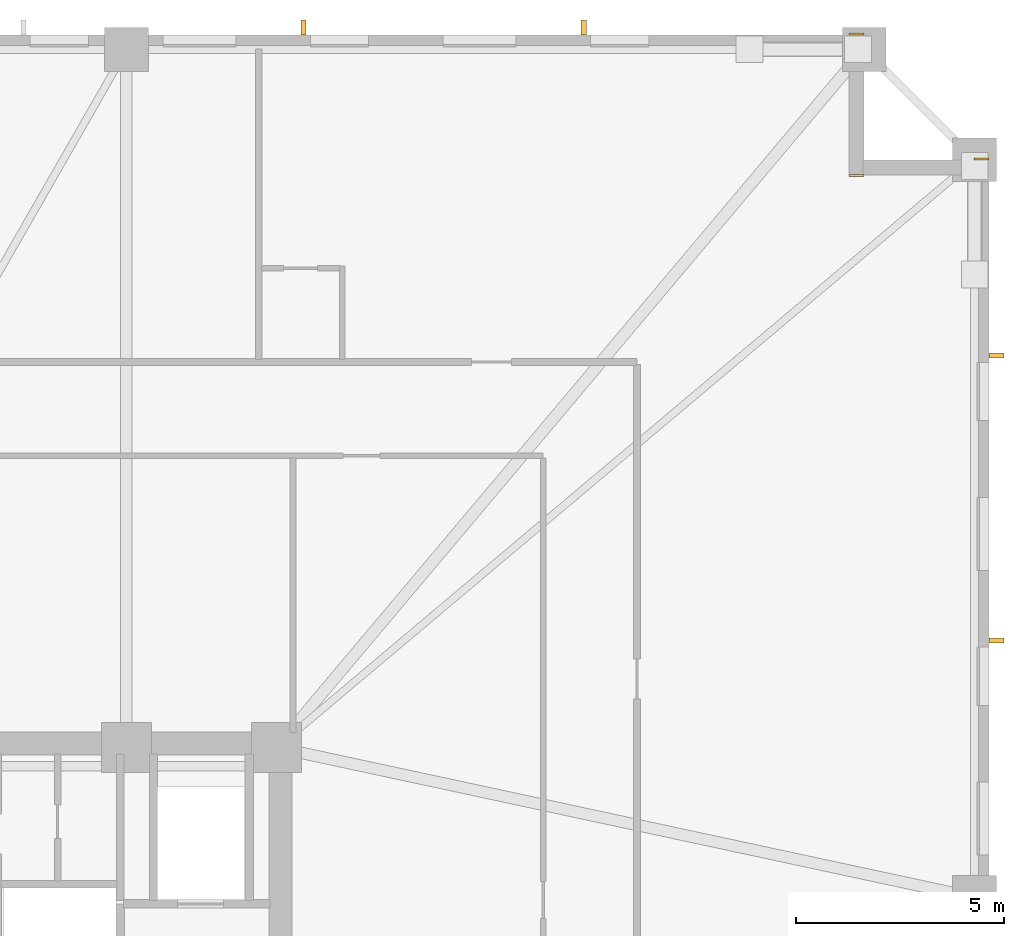
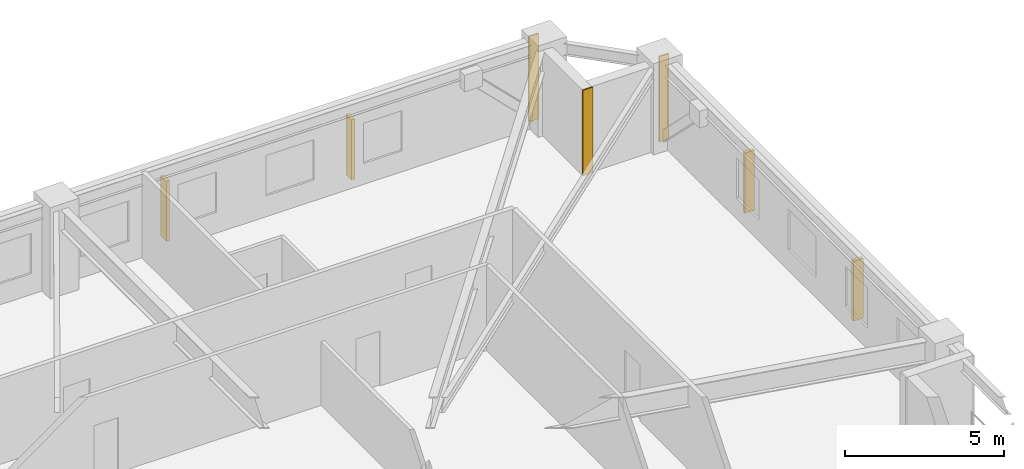
# One storey, part 11 of 11: 4 shading devices, 3 coverings.
"""IFC4 building model written with IfcOpenShell, lengths in metres."""

from ifc_helpers import new_model, si_unit, direction, frame, frame_2d, origin, origin_2d, place, context, subcontext, project, spatial, rectangle, extrude, material, layer, layer_set, type_object, element, save


model = new_model("IFC4")

# Units and contexts
model_context = context("Model", 3, precision=1e-05, world=origin(), true_north=direction((0.0, 1.0)))
body_context = subcontext(model_context, "Body", "Model", "MODEL_VIEW")
ifc_project = project(units=[si_unit("LENGTHUNIT", "METRE"), si_unit("AREAUNIT", "SQUARE_METRE"), si_unit("VOLUMEUNIT", "CUBIC_METRE"), si_unit("PLANEANGLEUNIT", "RADIAN"), si_unit("MASSUNIT", "GRAM", prefix="KILO")], contexts=[model_context])

# Site, building, storey
site_placement = place(None, origin())
site = spatial("IfcSite", under=ifc_project, at=site_placement, CompositionType="ELEMENT")
building_placement = place(site_placement, origin())
building = spatial("IfcBuilding", under=site, at=building_placement, Name="Cairnveth Concourse Tower", CompositionType="ELEMENT")
storey_placement = place(building_placement, frame((0.0, 0.0, 69.0)))
storey = spatial("IfcBuildingStorey", under=building, at=storey_placement, Name="L18", CompositionType="ELEMENT", Elevation=69.0)

# Coverings
ifc_material_1 = material(Name="Dressed Melbourne Bluestone Cladding", Category="masonry")
ifc_layer = layer(ifc_material_1, 0.050048828125)
ifc_layer_set = layer_set([ifc_layer], Name="Dressed Melbourne Bluestone Cladding")
covering_type = type_object("IfcCoveringType", Name="DRESSED BLUESTONE PLINTH CLADDING 50", PredefinedType="CLADDING", material=ifc_layer_set)
for number, where, z_axis, x_axis, name in (
    (1, (74.139892578125, 64.52001953125, 0.0), (0.0, 0.0, 1.0), (1.0, 0.0, 0.0), "Melbourne Bluestone Corner Quoin L18-241"),
    (2, (74.139892578125, 61.1201171875, 0.0), (0.0, 0.0, 1.0), (1.0, 0.0, 0.0), "Melbourne Bluestone Corner Quoin L18-242"),
    (3, (77.139892578125, 61.52001953125, 0.0), (0.0, 0.0, 1.0), (1.0, 0.0, 0.0), "Melbourne Bluestone Corner Quoin L18-243"),
):
    element("IfcCovering", number, at=place(storey_placement, frame(where, z_axis=z_axis, x_axis=x_axis)), inside=storey, type_object=covering_type, Name=name, PredefinedType="CLADDING", context=body_context, shape_type="SweptSolid", body=[
        extrude(rectangle(XDim=0.360107421875, YDim=0.050048828125, at=frame_2d((0.18017578125, 0.0))), origin(), (0.0, 0.0, 1.0), 3.280029296875),
    ])

# Shading devices
ifc_material_2 = material(Name="Architectural Bronze Anodised Aluminium 6063-T6", Category="aluminium")
shading_device_type = type_object("IfcShadingDeviceType", Name="GOTHIC BRONZE VERTICAL LANCET FIN", PredefinedType="USERDEFINED", material=ifc_material_2)
for number, where, z_axis, x_axis, name in (
    (4, (61.051513671875, 64.675048828125, 0.02978515625), (0.0, 0.0, 1.0), (1.0, 0.0, 0.0), "Gothic Bronze Vertical Fin L18-9-9"),
    (5, (67.77197265625, 64.675048828125, 0.02978515625), (0.0, 0.0, 1.0), (1.0, 0.0, 0.0), "Gothic Bronze Vertical Fin L18-9-11"),
    (6, (77.675048828125, 56.80224609375, 0.02978515625), (0.0, 0.0, 1.0), (0.0, 1.0, 0.0), "Gothic Bronze Vertical Fin L18-12-1"),
    (7, (77.675048828125, 49.97119140625, 0.02978515625), (0.0, 0.0, 1.0), (0.0, 1.0, 0.0), "Gothic Bronze Vertical Fin L18-12-3"),
):
    element("IfcShadingDevice", number, at=place(storey_placement, frame(where, z_axis=z_axis, x_axis=x_axis)), inside=storey, type_object=shading_device_type, Name=name, ObjectType="VERTICAL FIN", PredefinedType="USERDEFINED", context=body_context, shape_type="SweptSolid", body=[
        extrude(rectangle(XDim=0.1201171875, YDim=0.360107421875, at=origin_2d()), origin(), (0.0, 0.0, 1.0), 2.303955078125),
    ])

save(model, "model.ifc")
